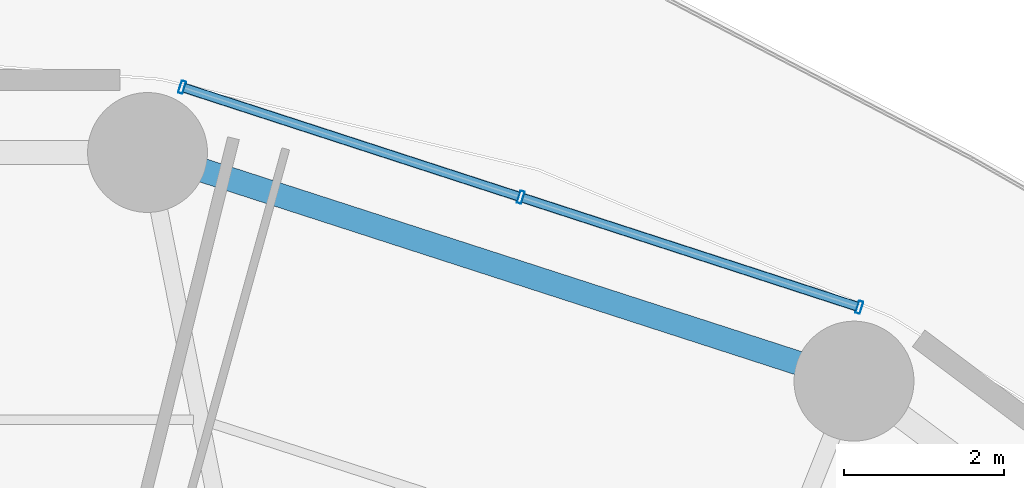
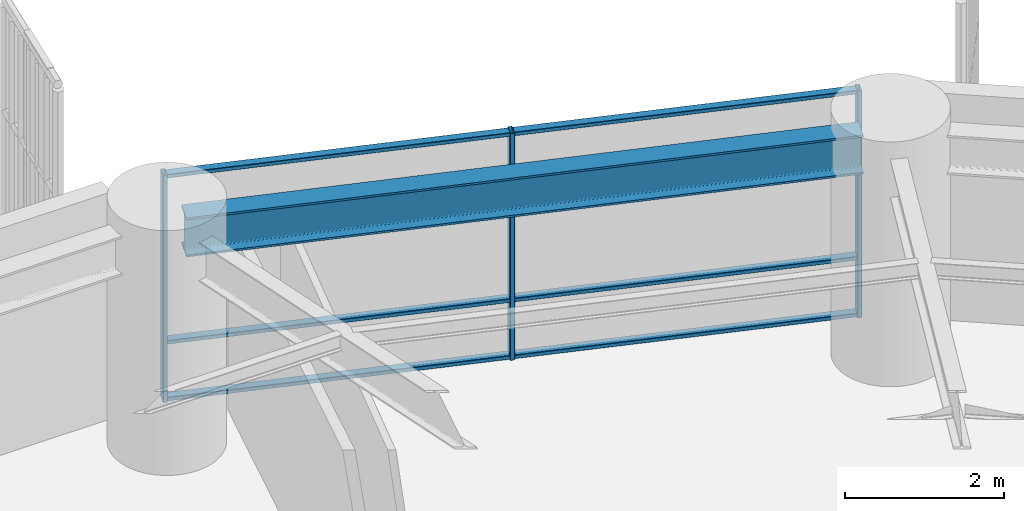
# One storey, part 22 of 34: 9 members, 1 beam, 1 element without a shape of its own.
"""IFC4 building model written with IfcOpenShell, lengths in metres."""

from ifc_helpers import new_model, si_unit, direction, frame, origin, origin_2d, place, context, subcontext, project, spatial, hollow_rectangle, i_section, extrude, material, layer, layer_set, material_profile, profile_set, type_object, element, aggregate, save


model = new_model("IFC4")

# Units and contexts
model_context = context("Model", 3, precision=1e-05, world=origin(), true_north=direction((0.0, 1.0)))
body_context = subcontext(model_context, "Body", "Model", "MODEL_VIEW")
ifc_project = project(units=[si_unit("LENGTHUNIT", "METRE"), si_unit("AREAUNIT", "SQUARE_METRE"), si_unit("VOLUMEUNIT", "CUBIC_METRE"), si_unit("PLANEANGLEUNIT", "RADIAN"), si_unit("MASSUNIT", "GRAM", prefix="KILO")], contexts=[model_context])

# Site, building, storey
site_placement = place(None, origin())
site = spatial("IfcSite", under=ifc_project, at=site_placement, CompositionType="ELEMENT")
building_placement = place(site_placement, origin())
building = spatial("IfcBuilding", under=site, at=building_placement, Name="Kelanora Arch Commons", CompositionType="ELEMENT")
storey_placement = place(building_placement, frame((0.0, 0.0, 30.0)))
storey = spatial("IfcBuildingStorey", under=building, at=storey_placement, Name="L07", CompositionType="ELEMENT", Elevation=30.0)

# Beam
ifc_material_1 = material(Name="Steel S355", Category="steel")
ifc_material_profile_1 = material_profile(ifc_material_1, i_section(OverallWidth=0.300048828125, OverallDepth=0.60009765625, WebThickness=0.015380859375, FlangeThickness=0.030029296875, FilletRadius=0.027099609375, at=origin_2d()), Name="HEB600")
ifc_profile_set_1 = profile_set([ifc_material_profile_1], Name="Steel S355")
beam_type = type_object("IfcBeamType", Name="BM-SPN-Z1", PredefinedType="SPANDREL", material=ifc_profile_set_1)
beam_placement = place(storey_placement, frame((87.178466796875, 78.970947265625, 3.18994140625), z_axis=(-0.951411839042, 0.307921276515, 0.0), x_axis=(-0.307921276515, -0.951411839042, 0.0)))
element("IfcBeam", 1, at=beam_placement, inside=storey, type_object=beam_type, Name="Perimeter Spandrel Beam BS-06 L07", PredefinedType="SPANDREL", context=body_context, shape_type="SweptSolid", body=[
    extrude(i_section(OverallWidth=0.300048828125, OverallDepth=0.60009765625, WebThickness=0.015380859375, FlangeThickness=0.030029296875, FilletRadius=0.027099609375, at=origin_2d()), origin(), (0.0, 0.0, 1.0), 8.68896484375),
])

# Curtain wall, members
ifc_material_2 = material(Name="Terracotta ceramic-fritted low-E glass and aluminium", Category="masonry")
ifc_layer = layer(ifc_material_2, 0.159912109375)
ifc_layer_set = layer_set([ifc_layer], Name="Terracotta ceramic-fritted low-E glass and aluminium")
curtain_wall_type = type_object("IfcCurtainWallType", Name="CW-SYS-01", PredefinedType="NOTDEFINED", material=ifc_layer_set)
curtain_wall_placement = place(storey_placement, origin())
curtain_wall = element("IfcCurtainWall", 2, at=curtain_wall_placement, inside=storey, type_object=curtain_wall_type, Name="Unitised Curtain Wall L07-B03", PredefinedType="NOTDEFINED")
ifc_material_3 = material(Name="Powder-coated aluminium terracotta", Category="masonry")
ifc_material_profile_2 = material_profile(ifc_material_3, hollow_rectangle(XDim=0.159912109375, YDim=0.06005859375, WallThickness=0.0048828125, InnerFilletRadius=0.0048828125, OuterFilletRadius=0.010009765625, at=origin_2d()), Name="CWM160x60")
ifc_profile_set_2 = profile_set([ifc_material_profile_2], Name="Powder-coated aluminium terracotta")
member_type_1 = type_object("IfcMemberType", Name="CWM-STD", PredefinedType="MULLION", material=ifc_profile_set_2)
member_1_placement = place(storey_placement, frame((87.607666015625, 79.778076171875, 0.0), z_axis=(0.0, 0.0, 1.0), x_axis=(-0.30905758454, -0.951043326793, 0.0)))
member_1 = element("IfcMember", 3, at=member_1_placement, type_object=member_type_1, Name="CW-01 mullion 1", PredefinedType="MULLION", context=body_context, shape_type="SweptSolid", body=[
    extrude(hollow_rectangle(XDim=0.159912109375, YDim=0.06005859375, WallThickness=0.0048828125, InnerFilletRadius=0.0048828125, OuterFilletRadius=0.010009765625, at=origin_2d()), origin(), (0.0, 0.0, 1.0), 3.47509765625),
])
member_2_placement = place(storey_placement, frame((83.37109375, 81.15478515625, 0.0), z_axis=(0.0, 0.0, 1.0), x_axis=(-0.30905758454, -0.951043326793, 0.0)))
member_2 = element("IfcMember", 4, at=member_2_placement, type_object=member_type_1, Name="CW-01 mullion 2", PredefinedType="MULLION", context=body_context, shape_type="SweptSolid", body=[
    extrude(hollow_rectangle(XDim=0.159912109375, YDim=0.06005859375, WallThickness=0.0048828125, InnerFilletRadius=0.0048828125, OuterFilletRadius=0.010009765625, at=origin_2d()), origin(), (0.0, 0.0, 1.0), 3.47509765625),
])
member_3_placement = place(storey_placement, frame((79.134521484375, 82.53173828125, 0.0), z_axis=(0.0, 0.0, 1.0), x_axis=(-0.30905758454, -0.951043326793, 0.0)))
member_3 = element("IfcMember", 5, at=member_3_placement, type_object=member_type_1, Name="CW-01 mullion 3", PredefinedType="MULLION", context=body_context, shape_type="SweptSolid", body=[
    extrude(hollow_rectangle(XDim=0.159912109375, YDim=0.06005859375, WallThickness=0.0048828125, InnerFilletRadius=0.0048828125, OuterFilletRadius=0.010009765625, at=origin_2d()), origin(), (0.0, 0.0, 1.0), 3.47509765625),
])
ifc_material_profile_3 = material_profile(ifc_material_3, hollow_rectangle(XDim=0.1201171875, YDim=0.06005859375, WallThickness=0.0048828125, InnerFilletRadius=0.0048828125, OuterFilletRadius=0.010009765625, at=origin_2d()), Name="CWT120x60")
ifc_profile_set_3 = profile_set([ifc_material_profile_3], Name="Powder-coated aluminium terracotta")
member_type_2 = type_object("IfcMemberType", Name="CWT-STD", PredefinedType="USERDEFINED", material=ifc_profile_set_3)
member_4_placement = place(storey_placement, frame((87.5791015625, 79.787353515625, 0.030029296875), z_axis=(-0.951045091182, 0.309052155047, 0.0), x_axis=(-0.309052155047, -0.951045091182, 0.0)))
member_4 = element("IfcMember", 6, at=member_4_placement, type_object=member_type_2, Name="CW-01 transom 1.1", ObjectType="TRANSOM", PredefinedType="USERDEFINED", context=body_context, shape_type="SweptSolid", body=[
    extrude(hollow_rectangle(XDim=0.1201171875, YDim=0.06005859375, WallThickness=0.0048828125, InnerFilletRadius=0.0048828125, OuterFilletRadius=0.010009765625, at=origin_2d()), origin(), (0.0, 0.0, 1.0), 4.39453125),
])
member_5_placement = place(storey_placement, frame((87.5791015625, 79.787353515625, 0.89990234375), z_axis=(-0.951045091182, 0.309052155047, 0.0), x_axis=(-0.309052155047, -0.951045091182, 0.0)))
member_5 = element("IfcMember", 7, at=member_5_placement, type_object=member_type_2, Name="CW-01 transom 1.2", ObjectType="TRANSOM", PredefinedType="USERDEFINED", context=body_context, shape_type="SweptSolid", body=[
    extrude(hollow_rectangle(XDim=0.1201171875, YDim=0.06005859375, WallThickness=0.0048828125, InnerFilletRadius=0.0048828125, OuterFilletRadius=0.010009765625, at=origin_2d()), origin(), (0.0, 0.0, 1.0), 4.39453125),
])
member_6_placement = place(storey_placement, frame((87.5791015625, 79.787353515625, 3.445068359375), z_axis=(-0.951045091182, 0.309052155047, 0.0), x_axis=(-0.309052155047, -0.951045091182, 0.0)))
member_6 = element("IfcMember", 8, at=member_6_placement, type_object=member_type_2, Name="CW-01 transom 1.3", ObjectType="TRANSOM", PredefinedType="USERDEFINED", context=body_context, shape_type="SweptSolid", body=[
    extrude(hollow_rectangle(XDim=0.1201171875, YDim=0.06005859375, WallThickness=0.0048828125, InnerFilletRadius=0.0048828125, OuterFilletRadius=0.010009765625, at=origin_2d()), origin(), (0.0, 0.0, 1.0), 4.39453125),
])
member_7_placement = place(storey_placement, frame((83.342529296875, 81.1640625, 0.030029296875), z_axis=(-0.951028761285, 0.309102402464, 0.0), x_axis=(-0.309102402464, -0.951028761285, 0.0)))
member_7 = element("IfcMember", 9, at=member_7_placement, type_object=member_type_2, Name="CW-01 transom 2.1", ObjectType="TRANSOM", PredefinedType="USERDEFINED", context=body_context, shape_type="SweptSolid", body=[
    extrude(hollow_rectangle(XDim=0.1201171875, YDim=0.06005859375, WallThickness=0.0048828125, InnerFilletRadius=0.0048828125, OuterFilletRadius=0.010009765625, at=origin_2d()), origin(), (0.0, 0.0, 1.0), 4.394775390625),
])
member_8_placement = place(storey_placement, frame((83.342529296875, 81.1640625, 0.89990234375), z_axis=(-0.951028761285, 0.309102402464, 0.0), x_axis=(-0.309102402464, -0.951028761285, 0.0)))
member_8 = element("IfcMember", 10, at=member_8_placement, type_object=member_type_2, Name="CW-01 transom 2.2", ObjectType="TRANSOM", PredefinedType="USERDEFINED", context=body_context, shape_type="SweptSolid", body=[
    extrude(hollow_rectangle(XDim=0.1201171875, YDim=0.06005859375, WallThickness=0.0048828125, InnerFilletRadius=0.0048828125, OuterFilletRadius=0.010009765625, at=origin_2d()), origin(), (0.0, 0.0, 1.0), 4.394775390625),
])
member_9_placement = place(storey_placement, frame((83.342529296875, 81.1640625, 3.445068359375), z_axis=(-0.951028761285, 0.309102402464, 0.0), x_axis=(-0.309102402464, -0.951028761285, 0.0)))
member_9 = element("IfcMember", 11, at=member_9_placement, type_object=member_type_2, Name="CW-01 transom 2.3", ObjectType="TRANSOM", PredefinedType="USERDEFINED", context=body_context, shape_type="SweptSolid", body=[
    extrude(hollow_rectangle(XDim=0.1201171875, YDim=0.06005859375, WallThickness=0.0048828125, InnerFilletRadius=0.0048828125, OuterFilletRadius=0.010009765625, at=origin_2d()), origin(), (0.0, 0.0, 1.0), 4.394775390625),
])
aggregate(curtain_wall, [member_1, member_2, member_3, member_4, member_5, member_6, member_7, member_8, member_9])

save(model, "model.ifc")
